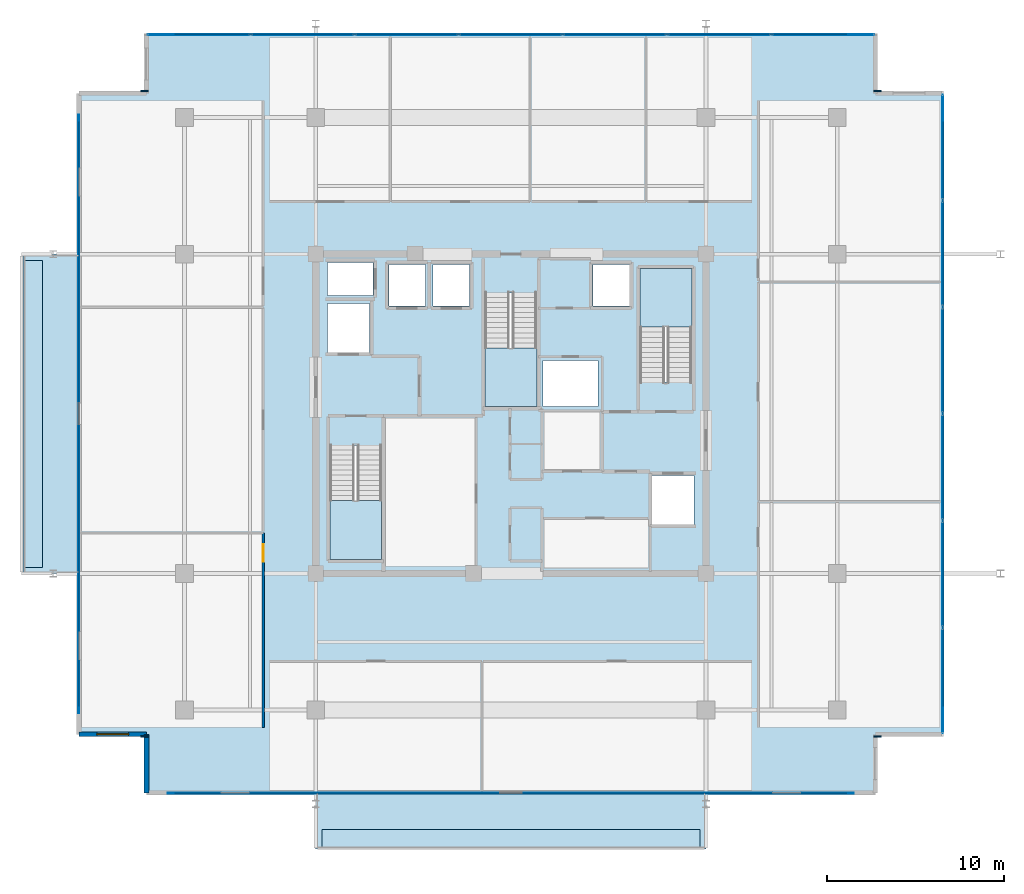
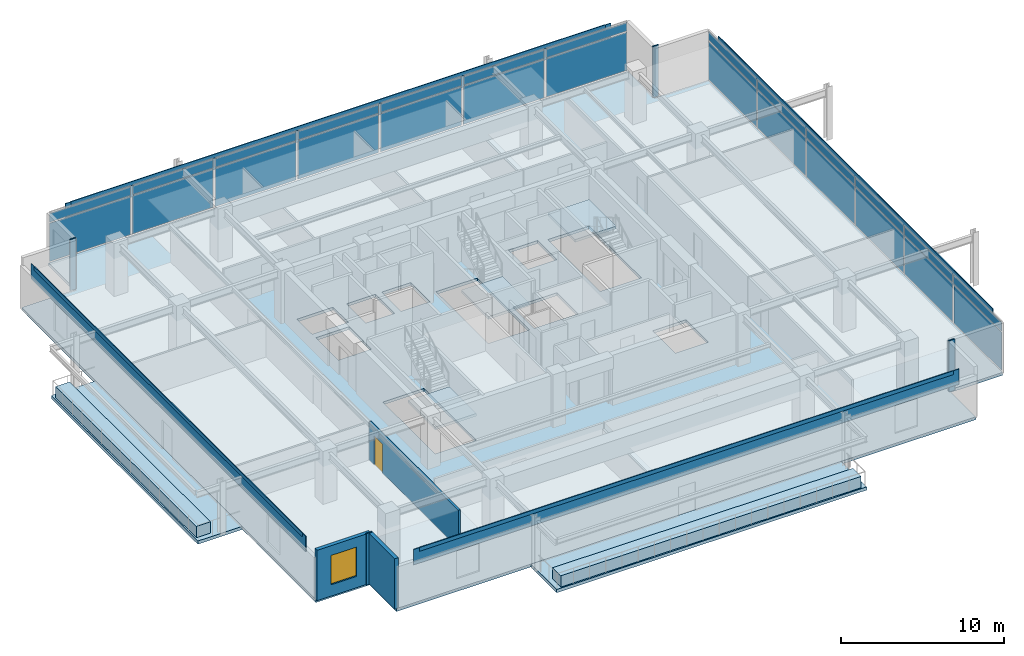
# One storey, part 13 of 21: 38 plates, 8 slabs, 3 walls, 1 door, 1 window, 2 openings, 5 elements without a shape of their own.
"""IFC4 building model written with IfcOpenShell, lengths in metres."""

from ifc_helpers import new_model, si_unit, direction, frame, frame_2d, origin, origin_2d, place, context, subcontext, project, spatial, polyline, rectangle, outline, extrude, material, layer, layer_set, type_object, element, fill, aggregate, save


model = new_model("IFC4")

# Units and contexts
model_context = context("Model", 3, precision=1e-05, world=origin(), true_north=direction((0.0, 1.0)))
body_context = subcontext(model_context, "Body", "Model", "MODEL_VIEW")
ifc_project = project(units=[si_unit("LENGTHUNIT", "METRE"), si_unit("AREAUNIT", "SQUARE_METRE"), si_unit("VOLUMEUNIT", "CUBIC_METRE"), si_unit("PLANEANGLEUNIT", "RADIAN"), si_unit("MASSUNIT", "GRAM", prefix="KILO")], contexts=[model_context])

# Site, building, storey
site_placement = place(None, origin())
site = spatial("IfcSite", under=ifc_project, at=site_placement, CompositionType="ELEMENT")
building_placement = place(site_placement, origin())
building = spatial("IfcBuilding", under=site, at=building_placement, Name="Kovane Verandah Tower", CompositionType="ELEMENT")
storey_placement = place(building_placement, frame((0.0, 0.0, 310.800048828125)))
storey = spatial("IfcBuildingStorey", under=building, at=storey_placement, Name="L72", CompositionType="ELEMENT", Elevation=310.800048828125)

# Curtain wall, plates
ifc_material_1 = material(Name="Champagne Anodised Aluminium Frame with Low-E Clear Laminated Glass", Category="aluminium")
curtain_wall_type = type_object("IfcCurtainWallType", Name="CW-SYS-05-HIGH", PredefinedType="NOTDEFINED", material=ifc_material_1)
curtain_wall_1_placement = place(storey_placement, origin())
curtain_wall_1 = element("IfcCurtainWall", 1, at=curtain_wall_1_placement, inside=storey, type_object=curtain_wall_type, Name="L72 E Unitised Curtain Wall", PredefinedType="NOTDEFINED")
ifc_material_2 = material(Name="Pale Champagne Anodised Aluminium Insulated Spandrel", Category="aluminium")
ifc_layer_1 = layer(ifc_material_2, 0.0400390625)
ifc_layer_set_1 = layer_set([ifc_layer_1], Name="Pale Champagne Anodised Aluminium Insulated Spandrel")
plate_type_1 = type_object("IfcPlateType", Name="PL-CW-SPD-40", PredefinedType="SHEET", material=ifc_layer_set_1)
plate_1_placement = place(storey_placement, frame((64.344482421875, 12.439697265625, 3.05517578125), z_axis=(0.0, 0.0, 1.0), x_axis=(0.0, 1.0, 0.0)))
plate_1 = element("IfcPlate", 2, at=plate_1_placement, type_object=plate_type_1, Name="L72 E Unitised Curtain Wall Spandrel Panel 1", PredefinedType="SHEET", context=body_context, shape_type="SweptSolid", body=[
    extrude(rectangle(XDim=5.884033203125, YDim=0.0400390625, at=origin_2d()), origin(), (0.0, 0.0, 1.0), 0.639892578125),
])
plate_2_placement = place(storey_placement, frame((64.344482421875, 18.4638671875, 3.05517578125), z_axis=(0.0, 0.0, 1.0), x_axis=(0.0, 1.0, 0.0)))
plate_2 = element("IfcPlate", 3, at=plate_2_placement, type_object=plate_type_1, Name="L72 E Unitised Curtain Wall Spandrel Panel 2", PredefinedType="SHEET", context=body_context, shape_type="SweptSolid", body=[
    extrude(rectangle(XDim=5.884033203125, YDim=0.0400390625, at=origin_2d()), origin(), (0.0, 0.0, 1.0), 0.639892578125),
])
plate_3_placement = place(storey_placement, frame((64.344482421875, 24.488037109375, 3.05517578125), z_axis=(0.0, 0.0, 1.0), x_axis=(0.0, 1.0, 0.0)))
plate_3 = element("IfcPlate", 4, at=plate_3_placement, type_object=plate_type_1, Name="L72 E Unitised Curtain Wall Spandrel Panel 3", PredefinedType="SHEET", context=body_context, shape_type="SweptSolid", body=[
    extrude(rectangle(XDim=5.884033203125, YDim=0.0400390625, at=origin_2d()), origin(), (0.0, 0.0, 1.0), 0.639892578125),
])
plate_4_placement = place(storey_placement, frame((64.344482421875, 30.511962890625, 3.05517578125), z_axis=(0.0, 0.0, 1.0), x_axis=(0.0, 1.0, 0.0)))
plate_4 = element("IfcPlate", 5, at=plate_4_placement, type_object=plate_type_1, Name="L72 E Unitised Curtain Wall Spandrel Panel 4", PredefinedType="SHEET", context=body_context, shape_type="SweptSolid", body=[
    extrude(rectangle(XDim=5.884033203125, YDim=0.0400390625, at=origin_2d()), origin(), (0.0, 0.0, 1.0), 0.639892578125),
])
plate_5_placement = place(storey_placement, frame((64.344482421875, 36.5361328125, 3.05517578125), z_axis=(0.0, 0.0, 1.0), x_axis=(0.0, 1.0, 0.0)))
plate_5 = element("IfcPlate", 6, at=plate_5_placement, type_object=plate_type_1, Name="L72 E Unitised Curtain Wall Spandrel Panel 5", PredefinedType="SHEET", context=body_context, shape_type="SweptSolid", body=[
    extrude(rectangle(XDim=5.884033203125, YDim=0.0400390625, at=origin_2d()), origin(), (0.0, 0.0, 1.0), 0.639892578125),
])
plate_6_placement = place(storey_placement, frame((64.344482421875, 42.560302734375, 3.05517578125), z_axis=(0.0, 0.0, 1.0), x_axis=(0.0, 1.0, 0.0)))
plate_6 = element("IfcPlate", 7, at=plate_6_placement, type_object=plate_type_1, Name="L72 E Unitised Curtain Wall Spandrel Panel 6", PredefinedType="SHEET", context=body_context, shape_type="SweptSolid", body=[
    extrude(rectangle(XDim=5.884033203125, YDim=0.0400390625, at=origin_2d()), origin(), (0.0, 0.0, 1.0), 0.639892578125),
])

curtain_wall_2_placement = place(storey_placement, origin())
curtain_wall_2 = element("IfcCurtainWall", 8, at=curtain_wall_2_placement, inside=storey, type_object=curtain_wall_type, Name="L72 N Unitised Curtain Wall", PredefinedType="NOTDEFINED")
plate_7_placement = place(storey_placement, frame((57.609619140625, 48.872314453125, 3.05517578125), z_axis=(0.0, 0.0, 1.0), x_axis=(-1.0, 0.0, 0.0)))
plate_7 = element("IfcPlate", 9, at=plate_7_placement, type_object=plate_type_1, Name="L72 N Unitised Curtain Wall Spandrel Panel 1", PredefinedType="SHEET", context=body_context, shape_type="SweptSolid", body=[
    extrude(rectangle(XDim=5.729736328125, YDim=0.0400390625, at=origin_2d()), origin(), (0.0, 0.0, 1.0), 0.639892578125),
])
plate_8_placement = place(storey_placement, frame((51.73974609375, 48.872314453125, 3.05517578125), z_axis=(0.0, 0.0, 1.0), x_axis=(-1.0, 0.0, 0.0)))
plate_8 = element("IfcPlate", 10, at=plate_8_placement, type_object=plate_type_1, Name="L72 N Unitised Curtain Wall Spandrel Panel 2", PredefinedType="SHEET", context=body_context, shape_type="SweptSolid", body=[
    extrude(rectangle(XDim=5.729736328125, YDim=0.0400390625, at=origin_2d()), origin(), (0.0, 0.0, 1.0), 0.639892578125),
])
plate_9_placement = place(storey_placement, frame((45.869873046875, 48.872314453125, 3.05517578125), z_axis=(0.0, 0.0, 1.0), x_axis=(-1.0, 0.0, 0.0)))
plate_9 = element("IfcPlate", 11, at=plate_9_placement, type_object=plate_type_1, Name="L72 N Unitised Curtain Wall Spandrel Panel 3", PredefinedType="SHEET", context=body_context, shape_type="SweptSolid", body=[
    extrude(rectangle(XDim=5.729736328125, YDim=0.0400390625, at=origin_2d()), origin(), (0.0, 0.0, 1.0), 0.639892578125),
])
plate_10_placement = place(storey_placement, frame((40.0, 48.872314453125, 3.05517578125), z_axis=(0.0, 0.0, 1.0), x_axis=(-1.0, 0.0, 0.0)))
plate_10 = element("IfcPlate", 12, at=plate_10_placement, type_object=plate_type_1, Name="L72 N Unitised Curtain Wall Spandrel Panel 4", PredefinedType="SHEET", context=body_context, shape_type="SweptSolid", body=[
    extrude(rectangle(XDim=5.729736328125, YDim=0.0400390625, at=origin_2d()), origin(), (0.0, 0.0, 1.0), 0.639892578125),
])
plate_11_placement = place(storey_placement, frame((34.130126953125, 48.872314453125, 3.05517578125), z_axis=(0.0, 0.0, 1.0), x_axis=(-1.0, 0.0, 0.0)))
plate_11 = element("IfcPlate", 13, at=plate_11_placement, type_object=plate_type_1, Name="L72 N Unitised Curtain Wall Spandrel Panel 5", PredefinedType="SHEET", context=body_context, shape_type="SweptSolid", body=[
    extrude(rectangle(XDim=5.729736328125, YDim=0.0400390625, at=origin_2d()), origin(), (0.0, 0.0, 1.0), 0.639892578125),
])
plate_12_placement = place(storey_placement, frame((28.26025390625, 48.872314453125, 3.05517578125), z_axis=(0.0, 0.0, 1.0), x_axis=(-1.0, 0.0, 0.0)))
plate_12 = element("IfcPlate", 14, at=plate_12_placement, type_object=plate_type_1, Name="L72 N Unitised Curtain Wall Spandrel Panel 6", PredefinedType="SHEET", context=body_context, shape_type="SweptSolid", body=[
    extrude(rectangle(XDim=5.729736328125, YDim=0.0400390625, at=origin_2d()), origin(), (0.0, 0.0, 1.0), 0.639892578125),
])
plate_13_placement = place(storey_placement, frame((22.390380859375, 48.872314453125, 3.05517578125), z_axis=(0.0, 0.0, 1.0), x_axis=(-1.0, 0.0, 0.0)))
plate_13 = element("IfcPlate", 15, at=plate_13_placement, type_object=plate_type_1, Name="L72 N Unitised Curtain Wall Spandrel Panel 7", PredefinedType="SHEET", context=body_context, shape_type="SweptSolid", body=[
    extrude(rectangle(XDim=5.729736328125, YDim=0.0400390625, at=origin_2d()), origin(), (0.0, 0.0, 1.0), 0.639892578125),
])

# Plate
ifc_material_3 = material(Name="Clear Low-E Laminated Double Glazing", Category="glass")
ifc_layer_2 = layer(ifc_material_3, 0.031982421875)
ifc_layer_set_2 = layer_set([ifc_layer_2], Name="Clear Low-E Laminated Double Glazing")
plate_type_2 = type_object("IfcPlateType", Name="PL-CW-VIS-32", PredefinedType="CURTAIN_PANEL", material=ifc_layer_set_2)
plate_14_placement = place(storey_placement, frame((64.344482421875, 12.439697265625, 0.099853515625), z_axis=(0.0, 0.0, 1.0), x_axis=(0.0, 1.0, 0.0)))
plate_14 = element("IfcPlate", 16, at=plate_14_placement, type_object=plate_type_2, Name="L72 E Unitised Curtain Wall Vision Panel 1", PredefinedType="CURTAIN_PANEL", context=body_context, shape_type="SweptSolid", body=[
    extrude(rectangle(XDim=5.884033203125, YDim=0.031982421875, at=origin_2d()), origin(), (0.0, 0.0, 1.0), 2.85498046875),
])

plate_15_placement = place(storey_placement, frame((64.344482421875, 18.4638671875, 0.099853515625), z_axis=(0.0, 0.0, 1.0), x_axis=(0.0, 1.0, 0.0)))
plate_15 = element("IfcPlate", 17, at=plate_15_placement, type_object=plate_type_2, Name="L72 E Unitised Curtain Wall Vision Panel 2", PredefinedType="CURTAIN_PANEL", context=body_context, shape_type="SweptSolid", body=[
    extrude(rectangle(XDim=5.884033203125, YDim=0.031982421875, at=origin_2d()), origin(), (0.0, 0.0, 1.0), 2.85498046875),
])

plate_16_placement = place(storey_placement, frame((64.344482421875, 24.488037109375, 0.099853515625), z_axis=(0.0, 0.0, 1.0), x_axis=(0.0, 1.0, 0.0)))
plate_16 = element("IfcPlate", 18, at=plate_16_placement, type_object=plate_type_2, Name="L72 E Unitised Curtain Wall Vision Panel 3", PredefinedType="CURTAIN_PANEL", context=body_context, shape_type="SweptSolid", body=[
    extrude(rectangle(XDim=5.884033203125, YDim=0.031982421875, at=origin_2d()), origin(), (0.0, 0.0, 1.0), 2.85498046875),
])

plate_17_placement = place(storey_placement, frame((64.344482421875, 30.511962890625, 0.099853515625), z_axis=(0.0, 0.0, 1.0), x_axis=(0.0, 1.0, 0.0)))
plate_17 = element("IfcPlate", 19, at=plate_17_placement, type_object=plate_type_2, Name="L72 E Unitised Curtain Wall Vision Panel 4", PredefinedType="CURTAIN_PANEL", context=body_context, shape_type="SweptSolid", body=[
    extrude(rectangle(XDim=5.884033203125, YDim=0.031982421875, at=origin_2d()), origin(), (0.0, 0.0, 1.0), 2.85498046875),
])

plate_18_placement = place(storey_placement, frame((64.344482421875, 36.5361328125, 0.099853515625), z_axis=(0.0, 0.0, 1.0), x_axis=(0.0, 1.0, 0.0)))
plate_18 = element("IfcPlate", 20, at=plate_18_placement, type_object=plate_type_2, Name="L72 E Unitised Curtain Wall Vision Panel 5", PredefinedType="CURTAIN_PANEL", context=body_context, shape_type="SweptSolid", body=[
    extrude(rectangle(XDim=5.884033203125, YDim=0.031982421875, at=origin_2d()), origin(), (0.0, 0.0, 1.0), 2.85498046875),
])

plate_19_placement = place(storey_placement, frame((64.344482421875, 42.560302734375, 0.099853515625), z_axis=(0.0, 0.0, 1.0), x_axis=(0.0, 1.0, 0.0)))
plate_19 = element("IfcPlate", 21, at=plate_19_placement, type_object=plate_type_2, Name="L72 E Unitised Curtain Wall Vision Panel 6", PredefinedType="CURTAIN_PANEL", context=body_context, shape_type="SweptSolid", body=[
    extrude(rectangle(XDim=5.884033203125, YDim=0.031982421875, at=origin_2d()), origin(), (0.0, 0.0, 1.0), 2.85498046875),
])

aggregate(curtain_wall_1, [plate_14, plate_1, plate_15, plate_2, plate_16, plate_3, plate_17, plate_4, plate_18, plate_5, plate_19, plate_6])

plate_20_placement = place(storey_placement, frame((57.609619140625, 48.872314453125, 0.099853515625), z_axis=(0.0, 0.0, 1.0), x_axis=(-1.0, 0.0, 0.0)))
plate_20 = element("IfcPlate", 22, at=plate_20_placement, type_object=plate_type_2, Name="L72 N Unitised Curtain Wall Vision Panel 1", PredefinedType="CURTAIN_PANEL", context=body_context, shape_type="SweptSolid", body=[
    extrude(rectangle(XDim=5.729736328125, YDim=0.031982421875, at=origin_2d()), origin(), (0.0, 0.0, 1.0), 2.85498046875),
])

plate_21_placement = place(storey_placement, frame((51.73974609375, 48.872314453125, 0.099853515625), z_axis=(0.0, 0.0, 1.0), x_axis=(-1.0, 0.0, 0.0)))
plate_21 = element("IfcPlate", 23, at=plate_21_placement, type_object=plate_type_2, Name="L72 N Unitised Curtain Wall Vision Panel 2", PredefinedType="CURTAIN_PANEL", context=body_context, shape_type="SweptSolid", body=[
    extrude(rectangle(XDim=5.729736328125, YDim=0.031982421875, at=origin_2d()), origin(), (0.0, 0.0, 1.0), 2.85498046875),
])

plate_22_placement = place(storey_placement, frame((45.869873046875, 48.872314453125, 0.099853515625), z_axis=(0.0, 0.0, 1.0), x_axis=(-1.0, 0.0, 0.0)))
plate_22 = element("IfcPlate", 24, at=plate_22_placement, type_object=plate_type_2, Name="L72 N Unitised Curtain Wall Vision Panel 3", PredefinedType="CURTAIN_PANEL", context=body_context, shape_type="SweptSolid", body=[
    extrude(rectangle(XDim=5.729736328125, YDim=0.031982421875, at=origin_2d()), origin(), (0.0, 0.0, 1.0), 2.85498046875),
])

plate_23_placement = place(storey_placement, frame((40.0, 48.872314453125, 0.099853515625), z_axis=(0.0, 0.0, 1.0), x_axis=(-1.0, 0.0, 0.0)))
plate_23 = element("IfcPlate", 25, at=plate_23_placement, type_object=plate_type_2, Name="L72 N Unitised Curtain Wall Vision Panel 4", PredefinedType="CURTAIN_PANEL", context=body_context, shape_type="SweptSolid", body=[
    extrude(rectangle(XDim=5.729736328125, YDim=0.031982421875, at=origin_2d()), origin(), (0.0, 0.0, 1.0), 2.85498046875),
])

plate_24_placement = place(storey_placement, frame((34.130126953125, 48.872314453125, 0.099853515625), z_axis=(0.0, 0.0, 1.0), x_axis=(-1.0, 0.0, 0.0)))
plate_24 = element("IfcPlate", 26, at=plate_24_placement, type_object=plate_type_2, Name="L72 N Unitised Curtain Wall Vision Panel 5", PredefinedType="CURTAIN_PANEL", context=body_context, shape_type="SweptSolid", body=[
    extrude(rectangle(XDim=5.729736328125, YDim=0.031982421875, at=origin_2d()), origin(), (0.0, 0.0, 1.0), 2.85498046875),
])

plate_25_placement = place(storey_placement, frame((28.26025390625, 48.872314453125, 0.099853515625), z_axis=(0.0, 0.0, 1.0), x_axis=(-1.0, 0.0, 0.0)))
plate_25 = element("IfcPlate", 27, at=plate_25_placement, type_object=plate_type_2, Name="L72 N Unitised Curtain Wall Vision Panel 6", PredefinedType="CURTAIN_PANEL", context=body_context, shape_type="SweptSolid", body=[
    extrude(rectangle(XDim=5.729736328125, YDim=0.031982421875, at=origin_2d()), origin(), (0.0, 0.0, 1.0), 2.85498046875),
])

plate_26_placement = place(storey_placement, frame((22.390380859375, 48.872314453125, 0.099853515625), z_axis=(0.0, 0.0, 1.0), x_axis=(-1.0, 0.0, 0.0)))
plate_26 = element("IfcPlate", 28, at=plate_26_placement, type_object=plate_type_2, Name="L72 N Unitised Curtain Wall Vision Panel 7", PredefinedType="CURTAIN_PANEL", context=body_context, shape_type="SweptSolid", body=[
    extrude(rectangle(XDim=5.729736328125, YDim=0.031982421875, at=origin_2d()), origin(), (0.0, 0.0, 1.0), 2.85498046875),
])

aggregate(curtain_wall_2, [plate_20, plate_7, plate_21, plate_8, plate_22, plate_9, plate_23, plate_10, plate_24, plate_11, plate_25, plate_12, plate_26, plate_13])

# Plates
ifc_material_4 = material(Name="Timber-Toned Subtropical Aluminium Vertical Blade", Category="wood")
ifc_layer_3 = layer(ifc_material_4, 0.090087890625)
ifc_layer_set_3 = layer_set([ifc_layer_3], Name="Timber-Toned Subtropical Aluminium Vertical Blade")
plate_type_3 = type_object("IfcPlateType", Name="PL-FIN-90", PredefinedType="USERDEFINED", material=ifc_layer_set_3)
for number, where, z_axis, x_axis, name in (
    (29, (19.335693359375, 9.307861328125, -0.02001953125), (0.0, 0.0, 1.0), (1.0, 0.0, 0.0), "L72 SW Timber-Toned Vertical Corner Fin"),
    (30, (60.664306640625, 9.307861328125, -0.02001953125), (0.0, 0.0, 1.0), (1.0, 0.0, 0.0), "L72 SE Timber-Toned Vertical Corner Fin"),
    (31, (60.664306640625, 45.692138671875, -0.02001953125), (0.0, 0.0, 1.0), (1.0, 0.0, 0.0), "L72 NE Timber-Toned Vertical Corner Fin"),
    (32, (19.335693359375, 45.692138671875, -0.02001953125), (0.0, 0.0, 1.0), (1.0, 0.0, 0.0), "L72 NW Timber-Toned Vertical Corner Fin"),
):
    element("IfcPlate", number, at=place(storey_placement, frame(where, z_axis=z_axis, x_axis=x_axis)), inside=storey, type_object=plate_type_3, Name=name, ObjectType="FIN", PredefinedType="USERDEFINED", context=body_context, shape_type="SweptSolid", body=[
        extrude(rectangle(XDim=0.419921875, YDim=0.090087890625, at=origin_2d()), origin(), (0.0, 0.0, 1.0), 3.844970703125),
    ])
ifc_material_5 = material(Name="Perforated Pale Champagne Anodised Aluminium Solar Screen", Category="aluminium")
ifc_layer_4 = layer(ifc_material_5, 0.050048828125)
ifc_layer_set_4 = layer_set([ifc_layer_4], Name="Perforated Pale Champagne Anodised Aluminium Solar Screen")
plate_type_4 = type_object("IfcPlateType", Name="PL-SCREEN-50", PredefinedType="USERDEFINED", material=ifc_layer_set_4)
plate_27_placement = place(storey_placement, frame((40.0, 6.11279296875, 2.885009765625), z_axis=(0.0, 0.0, 1.0), x_axis=(1.0, 0.0, 0.0)))
element("IfcPlate", 33, at=plate_27_placement, inside=storey, type_object=plate_type_4, Name="L72 S Perforated Champagne-Gold Solar Screen", ObjectType="SCREEN", PredefinedType="USERDEFINED", context=body_context, shape_type="SweptSolid", body=[
    extrude(rectangle(XDim=38.68896484375, YDim=0.050048828125, at=origin_2d()), origin(), (0.0, 0.0, 1.0), 1.14990234375),
])
plate_28_placement = place(storey_placement, frame((64.359375, 27.5, 2.885009765625), z_axis=(0.0, 0.0, 1.0), x_axis=(0.0, 1.0, 0.0)))
element("IfcPlate", 34, at=plate_28_placement, inside=storey, type_object=plate_type_4, Name="L72 E Perforated Champagne-Gold Solar Screen", ObjectType="SCREEN", PredefinedType="USERDEFINED", context=body_context, shape_type="SweptSolid", body=[
    extrude(rectangle(XDim=33.743896484375, YDim=0.050048828125, at=origin_2d()), origin(), (0.0, 0.0, 1.0), 1.14990234375),
])
plate_29_placement = place(storey_placement, frame((40.0, 48.88720703125, 2.885009765625), z_axis=(0.0, 0.0, 1.0), x_axis=(-1.0, 0.0, 0.0)))
element("IfcPlate", 35, at=plate_29_placement, inside=storey, type_object=plate_type_4, Name="L72 N Perforated Champagne-Gold Solar Screen", ObjectType="SCREEN", PredefinedType="USERDEFINED", context=body_context, shape_type="SweptSolid", body=[
    extrude(rectangle(XDim=38.68896484375, YDim=0.050048828125, at=origin_2d()), origin(), (0.0, 0.0, 1.0), 1.14990234375),
])
plate_30_placement = place(storey_placement, frame((15.640625, 27.5, 2.885009765625), z_axis=(0.0, 0.0, 1.0), x_axis=(0.0, -1.0, 0.0)))
element("IfcPlate", 36, at=plate_30_placement, inside=storey, type_object=plate_type_4, Name="L72 W Perforated Champagne-Gold Solar Screen", ObjectType="SCREEN", PredefinedType="USERDEFINED", context=body_context, shape_type="SweptSolid", body=[
    extrude(rectangle(XDim=33.743896484375, YDim=0.050048828125, at=origin_2d()), origin(), (0.0, 0.0, 1.0), 1.14990234375),
])
ifc_material_6 = material(Name="Extruded Pale-Bronze Aluminium Aerofoil Sunshade", Category="aluminium")
ifc_layer_5 = layer(ifc_material_6, 0.06005859375)
ifc_layer_set_5 = layer_set([ifc_layer_5], Name="Extruded Pale-Bronze Aluminium Aerofoil Sunshade")
plate_type_5 = type_object("IfcPlateType", Name="PL-SUNSHADE-60", PredefinedType="USERDEFINED", material=ifc_layer_set_5)
plate_31_placement = place(storey_placement, frame((40.0, 6.10791015625, 3.76513671875), z_axis=(0.0, 0.0, 1.0), x_axis=(1.0, 0.0, 0.0)))
element("IfcPlate", 37, at=plate_31_placement, inside=storey, type_object=plate_type_5, Name="L72 S Subtropical Aerofoil Sunshade", ObjectType="SUNSHADE", PredefinedType="USERDEFINED", context=body_context, shape_type="SweptSolid", body=[
    extrude(rectangle(XDim=37.888916015625, YDim=0.06005859375, at=origin_2d()), origin(), (0.0, 0.0, 1.0), 0.280029296875),
])
plate_32_placement = place(storey_placement, frame((64.364501953125, 27.5, 3.76513671875), z_axis=(0.0, 0.0, 1.0), x_axis=(0.0, 1.0, 0.0)))
element("IfcPlate", 38, at=plate_32_placement, inside=storey, type_object=plate_type_5, Name="L72 E Subtropical Aerofoil Sunshade", ObjectType="SUNSHADE", PredefinedType="USERDEFINED", context=body_context, shape_type="SweptSolid", body=[
    extrude(rectangle(XDim=32.944091796875, YDim=0.06005859375, at=origin_2d()), origin(), (0.0, 0.0, 1.0), 0.280029296875),
])
plate_33_placement = place(storey_placement, frame((40.0, 48.89208984375, 3.76513671875), z_axis=(0.0, 0.0, 1.0), x_axis=(-1.0, 0.0, 0.0)))
element("IfcPlate", 39, at=plate_33_placement, inside=storey, type_object=plate_type_5, Name="L72 N Subtropical Aerofoil Sunshade", ObjectType="SUNSHADE", PredefinedType="USERDEFINED", context=body_context, shape_type="SweptSolid", body=[
    extrude(rectangle(XDim=37.888916015625, YDim=0.06005859375, at=origin_2d()), origin(), (0.0, 0.0, 1.0), 0.280029296875),
])
plate_34_placement = place(storey_placement, frame((15.635498046875, 27.5, 3.76513671875), z_axis=(0.0, 0.0, 1.0), x_axis=(0.0, -1.0, 0.0)))
element("IfcPlate", 40, at=plate_34_placement, inside=storey, type_object=plate_type_5, Name="L72 W Subtropical Aerofoil Sunshade", ObjectType="SUNSHADE", PredefinedType="USERDEFINED", context=body_context, shape_type="SweptSolid", body=[
    extrude(rectangle(XDim=32.944091796875, YDim=0.06005859375, at=origin_2d()), origin(), (0.0, 0.0, 1.0), 0.280029296875),
])

# Slabs
ifc_material_7 = material(Name="Concrete C45/55", Category="concrete")
ifc_layer_6 = layer(ifc_material_7, 0.239990234375)
ifc_layer_set_6 = layer_set([ifc_layer_6], Name="Concrete C45/55")
slab_type_1 = type_object("IfcSlabType", Name="SL-BALC-240", PredefinedType="FLOOR", material=ifc_layer_set_6)
slab_1_placement = place(storey_placement, frame((0.0, 0.0, -0.239990234375)))
element("IfcSlab", 41, at=slab_1_placement, inside=storey, type_object=slab_type_1, Name="L72 S Planted Verandah Balcony Slab", PredefinedType="FLOOR", context=body_context, shape_type="SweptSolid", body=[
    extrude(outline(polyline([(29.0, 2.977783203125), (51.0, 2.977783203125), (51.0, 6.127685546875), (29.0, 6.127685546875), (29.0, 2.977783203125)])), origin(), (0.0, 0.0, 1.0), 0.239990234375),
])
slab_2_placement = place(storey_placement, frame((0.0, 0.0, -0.239990234375)))
element("IfcSlab", 42, at=slab_2_placement, inside=storey, type_object=slab_type_1, Name="L72 W Planted Verandah Balcony Slab", PredefinedType="FLOOR", context=body_context, shape_type="SweptSolid", body=[
    extrude(outline(polyline([(12.505615234375, 18.5), (15.655517578125, 18.5), (15.655517578125, 36.5), (12.505615234375, 36.5), (12.505615234375, 18.5)])), origin(), (0.0, 0.0, 1.0), 0.239990234375),
])
ifc_layer_7 = layer(ifc_material_7, 0.215087890625)
ifc_layer_set_7 = layer_set([ifc_layer_7], Name="Concrete C45/55")
slab_type_2 = type_object("IfcSlabType", Name="SL-HIGH-215", PredefinedType="FLOOR", material=ifc_layer_set_7)
slab_3_placement = place(storey_placement, frame((0.0, 0.0, -0.215087890625)))
element("IfcSlab", 43, at=slab_3_placement, inside=storey, type_object=slab_type_2, Name="L72 Structural Floor Slab", PredefinedType="FLOOR", context=body_context, shape_type="SweptSolid", body=[
    extrude(outline(polyline([(19.45556640625, 6.127685546875), (60.54443359375, 6.127685546875), (60.54443359375, 9.427734375), (64.344482421875, 9.427734375), (64.344482421875, 45.572265625), (60.54443359375, 45.572265625), (60.54443359375, 48.872314453125), (19.45556640625, 48.872314453125), (19.45556640625, 45.572265625), (15.655517578125, 45.572265625), (15.655517578125, 9.427734375), (19.45556640625, 9.427734375), (19.45556640625, 6.127685546875)]), holes=[polyline([(29.800048828125, 19.300048828125), (32.719970703125, 19.300048828125), (32.719970703125, 25.705078125), (29.800048828125, 25.705078125), (29.800048828125, 19.300048828125)]), polyline([(47.280029296875, 29.294921875), (50.199951171875, 29.294921875), (50.199951171875, 35.699951171875), (47.280029296875, 35.699951171875), (47.280029296875, 29.294921875)]), polyline([(38.5400390625, 27.89990234375), (41.4599609375, 27.89990234375), (41.4599609375, 34.304931640625), (38.5400390625, 34.304931640625), (38.5400390625, 27.89990234375)]), polyline([(29.669921875, 30.969970703125), (32.030029296875, 30.969970703125), (32.030029296875, 33.72998046875), (29.669921875, 33.72998046875), (29.669921875, 30.969970703125)]), polyline([(47.969970703125, 21.27001953125), (50.330078125, 21.27001953125), (50.330078125, 24.030029296875), (47.969970703125, 24.030029296875), (47.969970703125, 21.27001953125)]), polyline([(29.669921875, 34.169921875), (32.22998046875, 34.169921875), (32.22998046875, 36.030029296875), (29.669921875, 36.030029296875), (29.669921875, 34.169921875)]), polyline([(33.1201171875, 33.570068359375), (35.179931640625, 33.570068359375), (35.179931640625, 35.929931640625), (33.1201171875, 35.929931640625), (33.1201171875, 33.570068359375)]), polyline([(35.6201171875, 33.570068359375), (37.679931640625, 33.570068359375), (37.679931640625, 35.929931640625), (35.6201171875, 35.929931640625), (35.6201171875, 33.570068359375)]), polyline([(44.6201171875, 33.570068359375), (46.679931640625, 33.570068359375), (46.679931640625, 35.929931640625), (44.6201171875, 35.929931640625), (44.6201171875, 33.570068359375)]), polyline([(41.800048828125, 27.89990234375), (44.89990234375, 27.89990234375), (44.89990234375, 30.5), (41.800048828125, 30.5), (41.800048828125, 27.89990234375)])]), origin(), (0.0, 0.0, 1.0), 0.215087890625),
])

# Stair, slab
stair_type = type_object("IfcStairType", Name="ST-CORE-1380", PredefinedType="HALF_TURN_STAIR", material=ifc_material_7)
stair_1_placement = place(storey_placement, origin())
stair_1 = element("IfcStair", 44, at=stair_1_placement, inside=storey, type_object=stair_type, Name="L72 Exit Stair ST-01", PredefinedType="HALF_TURN_STAIR")
ifc_layer_8 = layer(ifc_material_7, 0.199951171875)
ifc_layer_set_8 = layer_set([ifc_layer_8], Name="Concrete C45/55")
slab_type_3 = type_object("IfcSlabType", Name="SL-LAND-200", PredefinedType="LANDING", material=ifc_layer_set_8)
slab_4_placement = place(storey_placement, frame((0.0, 0.0, 1.800048828125)))
slab_4 = element("IfcSlab", 45, at=slab_4_placement, type_object=slab_type_3, Name="ST-01 landing 1", PredefinedType="LANDING", context=body_context, shape_type="SweptSolid", body=[
    extrude(outline(polyline([(29.800048828125, 22.614990234375), (29.800048828125, 19.300048828125), (32.719970703125, 19.300048828125), (32.719970703125, 22.614990234375), (29.800048828125, 22.614990234375)])), origin(), (0.0, 0.0, 1.0), 0.199951171875),
])
aggregate(stair_1, [slab_4])

stair_2_placement = place(storey_placement, origin())
stair_2 = element("IfcStair", 46, at=stair_2_placement, inside=storey, type_object=stair_type, Name="L72 Exit Stair ST-02", PredefinedType="HALF_TURN_STAIR")
slab_5_placement = place(storey_placement, frame((0.0, 0.0, 1.800048828125)))
slab_5 = element("IfcSlab", 47, at=slab_5_placement, type_object=slab_type_3, Name="ST-02 landing 1", PredefinedType="LANDING", context=body_context, shape_type="SweptSolid", body=[
    extrude(outline(polyline([(50.199951171875, 32.385009765625), (50.199951171875, 35.699951171875), (47.280029296875, 35.699951171875), (47.280029296875, 32.385009765625), (50.199951171875, 32.385009765625)])), origin(), (0.0, 0.0, 1.0), 0.199951171875),
])
aggregate(stair_2, [slab_5])

stair_3_placement = place(storey_placement, origin())
stair_3 = element("IfcStair", 48, at=stair_3_placement, inside=storey, type_object=stair_type, Name="L72 Exit Stair ST-03", PredefinedType="HALF_TURN_STAIR")
slab_6_placement = place(storey_placement, frame((0.0, 0.0, 1.800048828125)))
slab_6 = element("IfcSlab", 49, at=slab_6_placement, type_object=slab_type_3, Name="ST-03 landing 1", PredefinedType="LANDING", context=body_context, shape_type="SweptSolid", body=[
    extrude(outline(polyline([(38.5400390625, 31.215087890625), (38.5400390625, 27.89990234375), (41.4599609375, 27.89990234375), (41.4599609375, 31.215087890625), (38.5400390625, 31.215087890625)])), origin(), (0.0, 0.0, 1.0), 0.199951171875),
])
aggregate(stair_3, [slab_6])

# Slabs
ifc_material_8 = material(Name="Architectural Precast Concrete C45/55 Planter Trough", Category="concrete")
ifc_layer_9 = layer(ifc_material_8, 0.219970703125)
ifc_layer_set_9 = layer_set([ifc_layer_9], Name="Architectural Precast Concrete C45/55 Planter Trough")
slab_type_4 = type_object("IfcSlabType", Name="SL-PLANTER-220", PredefinedType="USERDEFINED", material=ifc_layer_set_9)
slab_7_placement = place(storey_placement, origin())
element("IfcSlab", 50, at=slab_7_placement, inside=storey, type_object=slab_type_4, Name="L72 S Structural Tree Planter", ObjectType="PLANTER", PredefinedType="USERDEFINED", context=body_context, shape_type="SweptSolid", body=[
    extrude(outline(polyline([(29.35009765625, 3.077880859375), (50.64990234375, 3.077880859375), (50.64990234375, 4.077880859375), (29.35009765625, 4.077880859375), (29.35009765625, 3.077880859375)])), origin(), (0.0, 0.0, 1.0), 0.849853515625),
])
slab_8_placement = place(storey_placement, origin())
element("IfcSlab", 51, at=slab_8_placement, inside=storey, type_object=slab_type_4, Name="L72 W Structural Tree Planter", ObjectType="PLANTER", PredefinedType="USERDEFINED", context=body_context, shape_type="SweptSolid", body=[
    extrude(outline(polyline([(12.605712890625, 18.85009765625), (13.605712890625, 18.85009765625), (13.605712890625, 36.14990234375), (12.605712890625, 36.14990234375), (12.605712890625, 18.85009765625)])), origin(), (0.0, 0.0, 1.0), 0.849853515625),
])

# Wall, opening, door
ifc_material_9 = material(Name="Fire-Rated Gypsum Stud Partition", Category="gypsum")
ifc_layer_10 = layer(ifc_material_9, 0.14990234375)
ifc_layer_set_10 = layer_set([ifc_layer_10], Name="Fire-Rated Gypsum Stud Partition")
wall_type_1 = type_object("IfcWallType", Name="WL-COR-150", PredefinedType="PARTITIONING", material=ifc_layer_set_10)
wall_1_placement = place(storey_placement, frame((26.050048828125, 9.827880859375, 0.0), z_axis=(0.0, 0.0, 1.0), x_axis=(0.0, 1.0, 0.0)))
wall_1 = element("IfcWall", 52, at=wall_1_placement, inside=storey, type_object=wall_type_1, Name="L72 Open Plan Office W1 Corridor Partition", PredefinedType="PARTITIONING", context=body_context, shape_type="SweptSolid", body=[
    extrude(rectangle(XDim=10.956787109375, YDim=0.14990234375, at=frame_2d((5.478515625, 0.0))), origin(), (0.0, 0.0, 1.0), 2.849853515625),
])
opening_1_placement = place(wall_1_placement, frame((9.32958984375, 0.0, 0.0)))
opening_1 = element("IfcOpeningElement", 53, at=opening_1_placement, cuts=wall_1, Name="Opening DR-L72-028", PredefinedType="OPENING", context=body_context, shape_type="SweptSolid", body=[
    extrude(rectangle(XDim=1.0, YDim=2.14990234375, at=frame_2d((0.5, 1.074951171875))), frame((0.0, 0.074951171875, 0.0), z_axis=(0.0, -1.0, 0.0), x_axis=(1.0, 0.0, 0.0)), (0.0, 0.0, 1.0), 0.14990234375),
])
ifc_material_10 = material(Name="FSC Spotted-Gum Timber Fire-Rated Office Door", Category="wood")
door_type = type_object("IfcDoorType", Name="DR-OFF-1000", OperationType="SINGLE_SWING_LEFT", PredefinedType="DOOR", material=ifc_material_10)
door_placement = place(opening_1_placement, origin())
door = element("IfcDoor", 54, at=door_placement, inside=storey, type_object=door_type, Name="L72 Open Plan Office W1 Entrance Door", OperationType="SINGLE_SWING_RIGHT", OverallHeight=2.14990234375, OverallWidth=1.0, PredefinedType="DOOR", context=body_context, shape_type="SweptSolid", body=[
    extrude(rectangle(XDim=1.0, YDim=2.14990234375, at=frame_2d((0.5, 1.074951171875))), frame((0.0, 0.02490234375, 0.0), z_axis=(0.0, -1.0, 0.0), x_axis=(1.0, 0.0, 0.0)), (0.0, 0.0, 1.0), 0.050048828125),
])
fill(opening_1, door)

# Wall, opening, window
ifc_material_11 = material(Name="Concrete C45/55 Insulated Spandrel Wall", Category="concrete")
ifc_layer_11 = layer(ifc_material_11, 0.260009765625)
ifc_layer_set_11 = layer_set([ifc_layer_11], Name="Concrete C45/55 Insulated Spandrel Wall")
wall_type_2 = type_object("IfcWallType", Name="WL-SPANDREL-260", PredefinedType="PARAPET", material=ifc_layer_set_11)
wall_2_placement = place(storey_placement, frame((15.655517578125, 9.427734375, 0.0), z_axis=(0.0, 0.0, 1.0), x_axis=(1.0, 0.0, 0.0)))
wall_2 = element("IfcWall", 55, at=wall_2_placement, inside=storey, type_object=wall_type_2, Name="L72 SW Notch Cheek Wall 1", PredefinedType="PARAPET", context=body_context, shape_type="SweptSolid", body=[
    extrude(rectangle(XDim=3.800048828125, YDim=0.260009765625, at=frame_2d((1.89990234375, 0.0))), origin(), (0.0, 0.0, 1.0), 3.784912109375),
])
opening_2_placement = place(wall_2_placement, frame((1.0, 0.0, 0.85009765625)))
opening_2 = element("IfcOpeningElement", 56, at=opening_2_placement, cuts=wall_2, Name="Opening W-03", PredefinedType="OPENING", context=body_context, shape_type="SweptSolid", body=[
    extrude(rectangle(XDim=1.800048828125, YDim=2.199951171875, at=frame_2d((0.89990234375, 1.10009765625))), frame((0.0, 0.1298828125, 0.0), z_axis=(0.0, -1.0, 0.0), x_axis=(1.0, 0.0, 0.0)), (0.0, 0.0, 1.0), 0.260009765625),
])
ifc_material_12 = material(Name="Clear Low-E Laminated Double Glazing in Anodised Frame", Category="glass")
window_type = type_object("IfcWindowType", Name="WN-NOTCH-1800x2200", PartitioningType="SINGLE_PANEL", PredefinedType="WINDOW", material=ifc_material_12)
window_placement = place(opening_2_placement, origin())
window = element("IfcWindow", 57, at=window_placement, inside=storey, type_object=window_type, Name="L72 SW Re-Entrant Corner Operable Window", OverallHeight=2.199951171875, OverallWidth=1.800048828125, PartitioningType="SINGLE_PANEL", PredefinedType="WINDOW", context=body_context, shape_type="SweptSolid", body=[
    extrude(rectangle(XDim=1.800048828125, YDim=2.199951171875, at=frame_2d((0.89990234375, 1.10009765625))), frame((0.0, 0.030029296875, 0.0), z_axis=(0.0, -1.0, 0.0), x_axis=(1.0, 0.0, 0.0)), (0.0, 0.0, 1.0), 0.06005859375),
])
fill(opening_2, window)

# Wall
wall_3_placement = place(storey_placement, frame((19.45556640625, 9.427734375, 0.0), z_axis=(0.0, 0.0, 1.0), x_axis=(0.0, -1.0, 0.0)))
element("IfcWall", 58, at=wall_3_placement, inside=storey, type_object=wall_type_2, Name="L72 SW Notch Cheek Wall 2", PredefinedType="PARAPET", context=body_context, shape_type="SweptSolid", body=[
    extrude(rectangle(XDim=3.300048828125, YDim=0.260009765625, at=frame_2d((1.64990234375, 0.0))), origin(), (0.0, 0.0, 1.0), 3.784912109375),
])

save(model, "model.ifc")
